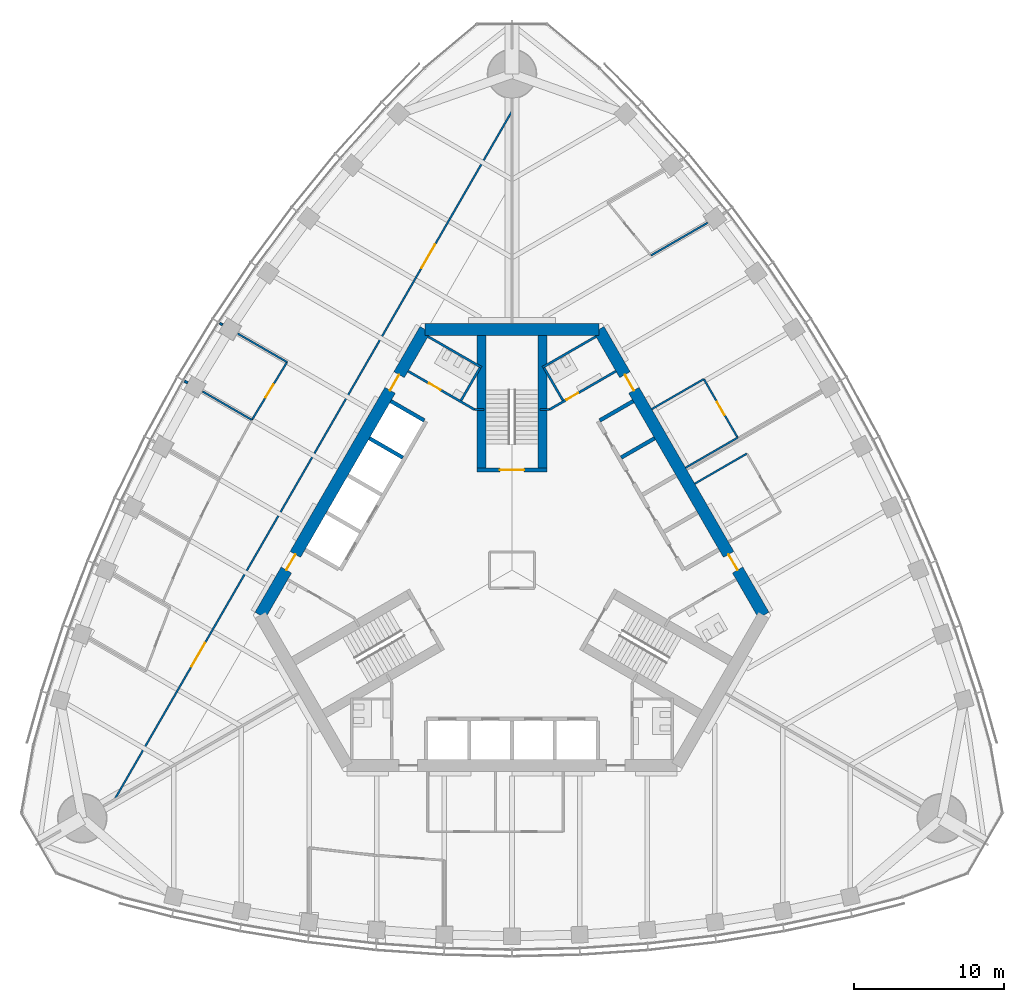
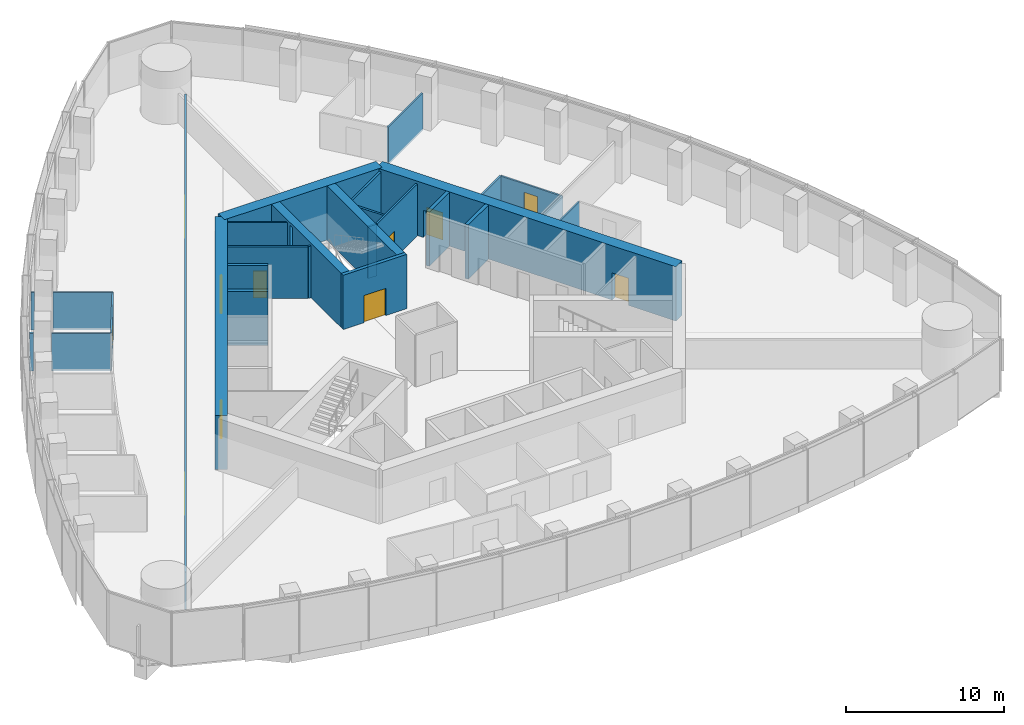
# One storey, part 13 of 19: 29 walls, 11 doors, 11 openings.
"""IFC4 building model written with IfcOpenShell, lengths in metres."""

from ifc_helpers import new_model, si_unit, direction, frame, frame_2d, origin, place, context, subcontext, project, spatial, rectangle, extrude, material, layer, layer_set, type_object, element, fill, save


model = new_model("IFC4")

# Units and contexts
model_context = context("Model", 3, precision=1e-05, world=origin(), true_north=direction((0.0, 1.0)))
body_context = subcontext(model_context, "Body", "Model", "MODEL_VIEW")
ifc_project = project(units=[si_unit("LENGTHUNIT", "METRE"), si_unit("AREAUNIT", "SQUARE_METRE"), si_unit("VOLUMEUNIT", "CUBIC_METRE"), si_unit("PLANEANGLEUNIT", "RADIAN"), si_unit("MASSUNIT", "GRAM", prefix="KILO")], contexts=[model_context])

# Site, building, storey
site_placement = place(None, origin())
site = spatial("IfcSite", under=ifc_project, at=site_placement, CompositionType="ELEMENT")
building_placement = place(site_placement, origin())
building = spatial("IfcBuilding", under=site, at=building_placement, Name="Trefoil Bronze Tower", CompositionType="ELEMENT")
storey_placement = place(building_placement, frame((0.0, 0.0, 206.5)))
storey = spatial("IfcBuildingStorey", under=building, at=storey_placement, Name="L47", CompositionType="ELEMENT", Elevation=206.5)

# Wall, openings, doors
ifc_material_1 = material(Name="Concrete B80", Category="concrete")
ifc_layer_1 = layer(ifc_material_1, 0.800048828125)
ifc_layer_set_1 = layer_set([ifc_layer_1], Name="Core wall 800")
wall_type_1 = type_object("IfcWallType", Name="Core wall 800", PredefinedType="SHEAR", material=ifc_layer_set_1)
wall_1_placement = place(storey_placement, frame((16.7431640625, -3.0, 0.0), z_axis=(0.0, 0.0, 1.0), x_axis=(-0.500002442456, 0.866023993627, 0.0)))
wall_1 = element("IfcWall", 1, at=wall_1_placement, inside=storey, type_object=wall_type_1, Name="Core long wall 2 L47", PredefinedType="SHEAR", context=body_context, shape_type="SweptSolid", body=[
    extrude(rectangle(XDim=21.939453125, YDim=0.800048828125, at=frame_2d((10.9697265625, 0.0))), origin(), (0.0, 0.0, 1.0), 4.199951171875),
])
opening_1_placement = place(wall_1_placement, frame((17.269775390625, 0.0, 0.0)))
opening_1 = element("IfcOpeningElement", 2, at=opening_1_placement, cuts=wall_1, Name="Opening D2", PredefinedType="OPENING", context=body_context, shape_type="SweptSolid", body=[
    extrude(rectangle(XDim=1.199951171875, YDim=2.10009765625, at=frame_2d((0.60009765625, 1.050048828125))), frame((0.0, 0.409912109375, 0.0), z_axis=(0.0, -1.0, 0.0), x_axis=(1.0, 0.0, 0.0)), (0.0, 0.0, 1.0), 0.820068359375),
])
opening_2_placement = place(wall_1_placement, frame((3.4697265625, 0.0, 0.0)))
opening_2 = element("IfcOpeningElement", 3, at=opening_2_placement, cuts=wall_1, Name="Opening D2", PredefinedType="OPENING", context=body_context, shape_type="SweptSolid", body=[
    extrude(rectangle(XDim=1.199951171875, YDim=2.10009765625, at=frame_2d((0.60009765625, 1.050048828125))), frame((0.0, 0.409912109375, 0.0), z_axis=(0.0, -1.0, 0.0), x_axis=(1.0, 0.0, 0.0)), (0.0, 0.0, 1.0), 0.820068359375),
])
ifc_material_2 = material(Name="Steel door", Category="steel")
door_type_1 = type_object("IfcDoorType", Name="Lobby door 1200", OperationType="SINGLE_SWING_RIGHT", PredefinedType="DOOR", material=ifc_material_2)
door_1_placement = place(opening_1_placement, origin())
door_1 = element("IfcDoor", 4, at=door_1_placement, inside=storey, type_object=door_type_1, Name="Lobby door F2+ L47", OperationType="SINGLE_SWING_RIGHT", OverallHeight=2.10009765625, OverallWidth=1.199951171875, PredefinedType="DOOR", context=body_context, shape_type="SweptSolid", body=[
    extrude(rectangle(XDim=1.199951171875, YDim=2.10009765625, at=frame_2d((0.60009765625, 1.050048828125))), frame((0.0, 0.02490234375, 0.0), z_axis=(0.0, -1.0, 0.0), x_axis=(1.0, 0.0, 0.0)), (0.0, 0.0, 1.0), 0.050048828125),
])
fill(opening_1, door_1)
door_2_placement = place(opening_2_placement, origin())
door_2 = element("IfcDoor", 5, at=door_2_placement, inside=storey, type_object=door_type_1, Name="Lobby door F2- L47", OperationType="SINGLE_SWING_LEFT", OverallHeight=2.10009765625, OverallWidth=1.199951171875, PredefinedType="DOOR", context=body_context, shape_type="SweptSolid", body=[
    extrude(rectangle(XDim=1.199951171875, YDim=2.10009765625, at=frame_2d((0.60009765625, 1.050048828125))), frame((0.0, 0.02490234375, 0.0), z_axis=(0.0, -1.0, 0.0), x_axis=(1.0, 0.0, 0.0)), (0.0, 0.0, 1.0), 0.050048828125),
])
fill(opening_2, door_2)

# Wall
wall_2_placement = place(storey_placement, frame((5.7734375, 16.0, 0.0), z_axis=(0.0, 0.0, 1.0), x_axis=(-1.0, 0.0, 0.0)))
element("IfcWall", 6, at=wall_2_placement, inside=storey, type_object=wall_type_1, Name="Core short wall 2 L47", PredefinedType="SHEAR", context=body_context, shape_type="SweptSolid", body=[
    extrude(rectangle(XDim=11.546875, YDim=0.800048828125, at=frame_2d((5.7734375, 0.0))), origin(), (0.0, 0.0, 1.0), 4.199951171875),
])

# Wall, openings, doors
wall_3_placement = place(storey_placement, frame((-5.7734375, 16.0, 0.0), z_axis=(0.0, 0.0, 1.0), x_axis=(-0.500002442456, -0.866023993627, 0.0)))
wall_3 = element("IfcWall", 7, at=wall_3_placement, inside=storey, type_object=wall_type_1, Name="Core long wall 3 L47", PredefinedType="SHEAR", context=body_context, shape_type="SweptSolid", body=[
    extrude(rectangle(XDim=21.939453125, YDim=0.800048828125, at=frame_2d((10.9697265625, 0.0))), origin(), (0.0, 0.0, 1.0), 4.199951171875),
])
opening_3_placement = place(wall_3_placement, frame((17.269775390625, 0.0, 0.0)))
opening_3 = element("IfcOpeningElement", 8, at=opening_3_placement, cuts=wall_3, Name="Opening D2", PredefinedType="OPENING", context=body_context, shape_type="SweptSolid", body=[
    extrude(rectangle(XDim=1.199951171875, YDim=2.10009765625, at=frame_2d((0.60009765625, 1.050048828125))), frame((0.0, 0.409912109375, 0.0), z_axis=(0.0, -1.0, 0.0), x_axis=(1.0, 0.0, 0.0)), (0.0, 0.0, 1.0), 0.820068359375),
])
opening_4_placement = place(wall_3_placement, frame((3.4697265625, 0.0, 0.0)))
opening_4 = element("IfcOpeningElement", 9, at=opening_4_placement, cuts=wall_3, Name="Opening D2", PredefinedType="OPENING", context=body_context, shape_type="SweptSolid", body=[
    extrude(rectangle(XDim=1.199951171875, YDim=2.10009765625, at=frame_2d((0.60009765625, 1.050048828125))), frame((0.0, 0.409912109375, 0.0), z_axis=(0.0, -1.0, 0.0), x_axis=(1.0, 0.0, 0.0)), (0.0, 0.0, 1.0), 0.820068359375),
])
door_3_placement = place(opening_3_placement, origin())
door_3 = element("IfcDoor", 10, at=door_3_placement, inside=storey, type_object=door_type_1, Name="Lobby door F3+ L47", OperationType="SINGLE_SWING_RIGHT", OverallHeight=2.10009765625, OverallWidth=1.199951171875, PredefinedType="DOOR", context=body_context, shape_type="SweptSolid", body=[
    extrude(rectangle(XDim=1.199951171875, YDim=2.10009765625, at=frame_2d((0.60009765625, 1.050048828125))), frame((0.0, 0.02490234375, 0.0), z_axis=(0.0, -1.0, 0.0), x_axis=(1.0, 0.0, 0.0)), (0.0, 0.0, 1.0), 0.050048828125),
])
fill(opening_3, door_3)
door_4_placement = place(opening_4_placement, origin())
door_4 = element("IfcDoor", 11, at=door_4_placement, inside=storey, type_object=door_type_1, Name="Lobby door F3- L47", OperationType="SINGLE_SWING_LEFT", OverallHeight=2.10009765625, OverallWidth=1.199951171875, PredefinedType="DOOR", context=body_context, shape_type="SweptSolid", body=[
    extrude(rectangle(XDim=1.199951171875, YDim=2.10009765625, at=frame_2d((0.60009765625, 1.050048828125))), frame((0.0, 0.02490234375, 0.0), z_axis=(0.0, -1.0, 0.0), x_axis=(1.0, 0.0, 0.0)), (0.0, 0.0, 1.0), 0.050048828125),
])
fill(opening_4, door_4)

# Wall, opening, door
ifc_material_3 = material(Name="Glazed partition", Category="glass")
ifc_layer_2 = layer(ifc_material_3, 0.1201171875)
ifc_layer_set_2 = layer_set([ifc_layer_2], Name="Glazed partition 120")
wall_type_2 = type_object("IfcWallType", Name="Glazed partition 120", PredefinedType="PARTITIONING", material=ifc_layer_set_2)
wall_4_placement = place(storey_placement, frame((15.00634765625, 8.808349609375, 0.0), z_axis=(0.0, 0.0, 1.0), x_axis=(-0.500013631625, 0.866017533419, 0.0)))
wall_4 = element("IfcWall", 12, at=wall_4_placement, inside=storey, type_object=wall_type_2, Name="Partition F2 L47", PredefinedType="PARTITIONING", context=body_context, shape_type="SweptSolid", body=[
    extrude(rectangle(XDim=4.499755859375, YDim=0.1201171875, at=frame_2d((2.25, 0.0))), origin(), (0.0, 0.0, 1.0), 2.89990234375),
])
opening_5_placement = place(wall_4_placement, frame((1.75, 0.0, 0.14990234375)))
opening_5 = element("IfcOpeningElement", 13, at=opening_5_placement, cuts=wall_4, Name="Opening D9", PredefinedType="OPENING", context=body_context, shape_type="SweptSolid", body=[
    extrude(rectangle(XDim=1.0, YDim=2.10009765625, at=frame_2d((0.5, 1.050048828125))), frame((0.0, 0.070068359375, 0.0), z_axis=(0.0, -1.0, 0.0), x_axis=(1.0, 0.0, 0.0)), (0.0, 0.0, 1.0), 0.14013671875),
])
ifc_material_4 = material(Name="Glazed timber door", Category="wood")
door_type_2 = type_object("IfcDoorType", Name="Meeting room door 1000", OperationType="SINGLE_SWING_LEFT", PredefinedType="DOOR", material=ifc_material_4)
door_5_placement = place(opening_5_placement, origin())
door_5 = element("IfcDoor", 14, at=door_5_placement, inside=storey, type_object=door_type_2, Name="Project room door F2 L47", OperationType="SINGLE_SWING_LEFT", OverallHeight=2.10009765625, OverallWidth=1.0, PredefinedType="DOOR", context=body_context, shape_type="SweptSolid", body=[
    extrude(rectangle(XDim=1.0, YDim=2.10009765625, at=frame_2d((0.5, 1.050048828125))), frame((0.0, 0.02490234375, 0.0), z_axis=(0.0, -1.0, 0.0), x_axis=(1.0, 0.0, 0.0)), (0.0, 0.0, 1.0), 0.050048828125),
])
fill(opening_5, door_5)

# Walls
for number, where, z_axis, x_axis, name in (
    (15, (11.542236328125, 6.808349609375, 0.0), (0.0, 0.0, 1.0), (0.866026010844, 0.49999894854, 0.0), "Partition F2 L47"),
    (16, (9.292236328125, 10.705322265625, 0.0), (0.0, 0.0, 1.0), (0.866026010844, 0.49999894854, 0.0), "Partition F2 L47"),
    (17, (12.15478515625, 5.747314453125, 0.0), (0.0, 0.0, 1.0), (0.866026010844, 0.49999894854, 0.0), "Partition F2 L47"),
):
    element("IfcWall", number, at=place(storey_placement, frame(where, z_axis=z_axis, x_axis=x_axis)), inside=storey, type_object=wall_type_2, Name=name, PredefinedType="PARTITIONING", context=body_context, shape_type="SweptSolid", body=[
        extrude(rectangle(XDim=4.0, YDim=0.1201171875, at=frame_2d((2.0, 0.0))), origin(), (0.0, 0.0, 1.0), 2.89990234375),
    ])
wall_5_placement = place(storey_placement, frame((9.2421875, 20.92431640625, 0.0), z_axis=(0.0, 0.0, 1.0), x_axis=(0.866010142069, 0.500026433136, 0.0)))
element("IfcWall", 18, at=wall_5_placement, inside=storey, type_object=wall_type_2, Name="Partition F2 L47", PredefinedType="PARTITIONING", context=body_context, shape_type="SweptSolid", body=[
    extrude(rectangle(XDim=4.356689453125, YDim=0.1201171875, at=frame_2d((2.17822265625, 0.0))), origin(), (0.0, 0.0, 1.0), 2.89990234375),
])

# Wall, openings, doors
wall_6_placement = place(storey_placement, frame((-0.016357421875, 30.491455078125, 0.0), z_axis=(0.0, 0.0, 1.0), x_axis=(-0.50000091641, -0.866024874695, 0.0)))
wall_6 = element("IfcWall", 19, at=wall_6_placement, inside=storey, type_object=wall_type_2, Name="Partition F3 L47", PredefinedType="PARTITIONING", context=body_context, shape_type="SweptSolid", body=[
    extrude(rectangle(XDim=52.79638671875, YDim=0.1201171875, at=frame_2d((26.398193359375, 0.0))), origin(), (0.0, 0.0, 1.0), 2.89990234375),
])
opening_6_placement = place(wall_6_placement, frame((10.199951171875, 0.0, 0.14990234375)))
opening_6 = element("IfcOpeningElement", 20, at=opening_6_placement, cuts=wall_6, Name="Opening D10", PredefinedType="OPENING", context=body_context, shape_type="SweptSolid", body=[
    extrude(rectangle(XDim=1.800048828125, YDim=2.10009765625, at=frame_2d((0.89990234375, 1.050048828125))), frame((0.0, 0.070068359375, 0.0), z_axis=(0.0, -1.0, 0.0), x_axis=(1.0, 0.0, 0.0)), (0.0, 0.0, 1.0), 0.14013671875),
])
opening_7_placement = place(wall_6_placement, frame((40.800048828125, 0.0, 0.14990234375)))
opening_7 = element("IfcOpeningElement", 21, at=opening_7_placement, cuts=wall_6, Name="Opening D10", PredefinedType="OPENING", context=body_context, shape_type="SweptSolid", body=[
    extrude(rectangle(XDim=1.800048828125, YDim=2.10009765625, at=frame_2d((0.89990234375, 1.050048828125))), frame((0.0, 0.070068359375, 0.0), z_axis=(0.0, -1.0, 0.0), x_axis=(1.0, 0.0, 0.0)), (0.0, 0.0, 1.0), 0.14013671875),
])
ifc_material_5 = material(Name="Timber door", Category="wood")
door_type_3 = type_object("IfcDoorType", Name="Double door 1800", OperationType="DOUBLE_DOOR_SINGLE_SWING", PredefinedType="DOOR", material=ifc_material_5)
door_6_placement = place(opening_6_placement, origin())
door_6 = element("IfcDoor", 22, at=door_6_placement, inside=storey, type_object=door_type_3, Name="Corridor door F3 L47", OperationType="DOUBLE_DOOR_SINGLE_SWING", OverallHeight=2.10009765625, OverallWidth=1.800048828125, PredefinedType="DOOR", context=body_context, shape_type="SweptSolid", body=[
    extrude(rectangle(XDim=1.800048828125, YDim=2.10009765625, at=frame_2d((0.89990234375, 1.050048828125))), frame((0.0, 0.02490234375, 0.0), z_axis=(0.0, -1.0, 0.0), x_axis=(1.0, 0.0, 0.0)), (0.0, 0.0, 1.0), 0.050048828125),
])
fill(opening_6, door_6)
door_7_placement = place(opening_7_placement, origin())
door_7 = element("IfcDoor", 23, at=door_7_placement, inside=storey, type_object=door_type_3, Name="Corridor door F3 L47", OperationType="DOUBLE_DOOR_SINGLE_SWING", OverallHeight=2.10009765625, OverallWidth=1.800048828125, PredefinedType="DOOR", context=body_context, shape_type="SweptSolid", body=[
    extrude(rectangle(XDim=1.800048828125, YDim=2.10009765625, at=frame_2d((0.89990234375, 1.050048828125))), frame((0.0, 0.02490234375, 0.0), z_axis=(0.0, -1.0, 0.0), x_axis=(1.0, 0.0, 0.0)), (0.0, 0.0, 1.0), 0.050048828125),
])
fill(opening_7, door_7)

# Wall, opening, door
wall_7_placement = place(storey_placement, frame((-14.9599609375, 13.833251953125, 0.0), z_axis=(0.0, 0.0, 1.0), x_axis=(-0.519726678229, -0.854332593278, 0.0)))
wall_7 = element("IfcWall", 24, at=wall_7_placement, inside=storey, type_object=wall_type_2, Name="Partition F3 L47", PredefinedType="PARTITIONING", context=body_context, shape_type="SweptSolid", body=[
    extrude(rectangle(XDim=4.501220703125, YDim=0.1201171875, at=frame_2d((2.25048828125, 0.0))), origin(), (0.0, 0.0, 1.0), 2.89990234375),
])
opening_8_placement = place(wall_7_placement, frame((1.75, 0.0, 0.14990234375)))
opening_8 = element("IfcOpeningElement", 25, at=opening_8_placement, cuts=wall_7, Name="Opening D9", PredefinedType="OPENING", context=body_context, shape_type="SweptSolid", body=[
    extrude(rectangle(XDim=1.0, YDim=2.10009765625, at=frame_2d((0.5, 1.050048828125))), frame((0.0, 0.070068359375, 0.0), z_axis=(0.0, -1.0, 0.0), x_axis=(1.0, 0.0, 0.0)), (0.0, 0.0, 1.0), 0.14013671875),
])
door_8_placement = place(opening_8_placement, frame((1.0, 0.0, 0.0), z_axis=(0.0, 0.0, 1.0), x_axis=(-1.0, 0.0, 0.0)))
door_8 = element("IfcDoor", 26, at=door_8_placement, inside=storey, type_object=door_type_2, Name="Project room door F3 L47", OperationType="SINGLE_SWING_RIGHT", OverallHeight=2.10009765625, OverallWidth=1.0, PredefinedType="DOOR", context=body_context, shape_type="SweptSolid", body=[
    extrude(rectangle(XDim=1.0, YDim=2.10009765625, at=frame_2d((0.5, 1.050048828125))), frame((0.0, 0.02490234375, 0.0), z_axis=(0.0, -1.0, 0.0), x_axis=(1.0, 0.0, 0.0)), (0.0, 0.0, 1.0), 0.050048828125),
])
fill(opening_8, door_8)

# Walls
wall_8_placement = place(storey_placement, frame((-17.29931640625, 9.98779296875, 0.0), z_axis=(0.0, 0.0, 1.0), x_axis=(-0.866033463206, 0.499986040413, 0.0)))
element("IfcWall", 27, at=wall_8_placement, inside=storey, type_object=wall_type_2, Name="Partition F3 L47", PredefinedType="PARTITIONING", context=body_context, shape_type="SweptSolid", body=[
    extrude(rectangle(XDim=3.794921875, YDim=0.1201171875, at=frame_2d((1.8974609375, 0.0))), origin(), (0.0, 0.0, 1.0), 2.89990234375),
])
wall_9_placement = place(storey_placement, frame((-14.9599609375, 13.833251953125, 0.0), z_axis=(0.0, 0.0, 1.0), x_axis=(-0.866020532957, 0.500008436426, 0.0)))
element("IfcWall", 28, at=wall_9_placement, inside=storey, type_object=wall_type_2, Name="Partition F3 L47", PredefinedType="PARTITIONING", context=body_context, shape_type="SweptSolid", body=[
    extrude(rectangle(XDim=3.79345703125, YDim=0.1201171875, at=frame_2d((1.896728515625, 0.0))), origin(), (0.0, 0.0, 1.0), 2.89990234375),
])

# Wall, opening, door
ifc_material_6 = material(Name="Gypsum board on steel studs", Category="steel")
ifc_layer_3 = layer(ifc_material_6, 0.14990234375)
ifc_layer_set_3 = layer_set([ifc_layer_3], Name="Partition 150")
wall_type_3 = type_object("IfcWallType", Name="Partition 150", PredefinedType="PARTITIONING", material=ifc_layer_set_3)
wall_10_placement = place(storey_placement, frame((2.4951171875, 10.67822265625, 0.0), z_axis=(0.0, 0.0, 1.0), x_axis=(0.86602216432, 0.500005610874, 0.0)))
wall_10 = element("IfcWall", 29, at=wall_10_placement, inside=storey, type_object=wall_type_3, Name="Passage wall F2+ L47", PredefinedType="PARTITIONING", context=body_context, shape_type="SweptSolid", body=[
    extrude(rectangle(XDim=5.10009765625, YDim=0.14990234375, at=frame_2d((2.550048828125, 0.0))), origin(), (0.0, 0.0, 1.0), 4.0),
])
opening_9_placement = place(wall_10_placement, frame((1.300048828125, 0.0, 0.0)))
opening_9 = element("IfcOpeningElement", 30, at=opening_9_placement, cuts=wall_10, Name="Opening D3", PredefinedType="OPENING", context=body_context, shape_type="SweptSolid", body=[
    extrude(rectangle(XDim=0.89990234375, YDim=2.10009765625, at=frame_2d((0.449951171875, 1.050048828125))), frame((0.0, 0.0849609375, 0.0), z_axis=(0.0, -1.0, 0.0), x_axis=(1.0, 0.0, 0.0)), (0.0, 0.0, 1.0), 0.169921875),
])
ifc_material_7 = material(Name="Timber door", Category="wood")
door_type_4 = type_object("IfcDoorType", Name="WC door 900", OperationType="SINGLE_SWING_LEFT", PredefinedType="DOOR", material=ifc_material_7)
door_9_placement = place(opening_9_placement, origin())
door_9 = element("IfcDoor", 31, at=door_9_placement, inside=storey, type_object=door_type_4, Name="WC (men) door L47", OperationType="SINGLE_SWING_LEFT", OverallHeight=2.10009765625, OverallWidth=0.89990234375, PredefinedType="DOOR", context=body_context, shape_type="SweptSolid", body=[
    extrude(rectangle(XDim=0.89990234375, YDim=2.10009765625, at=frame_2d((0.449951171875, 1.050048828125))), frame((0.0, 0.02490234375, 0.0), z_axis=(0.0, -1.0, 0.0), x_axis=(1.0, 0.0, 0.0)), (0.0, 0.0, 1.0), 0.050048828125),
])
fill(opening_9, door_9)

wall_11_placement = place(storey_placement, frame((-2.4951171875, 10.67822265625, 0.0), z_axis=(0.0, 0.0, 1.0), x_axis=(-0.86602216432, 0.500005610874, 0.0)))
wall_11 = element("IfcWall", 32, at=wall_11_placement, inside=storey, type_object=wall_type_3, Name="Passage wall F3- L47", PredefinedType="PARTITIONING", context=body_context, shape_type="SweptSolid", body=[
    extrude(rectangle(XDim=5.10009765625, YDim=0.14990234375, at=frame_2d((2.550048828125, 0.0))), origin(), (0.0, 0.0, 1.0), 4.0),
])
opening_10_placement = place(wall_11_placement, frame((2.60009765625, 0.0, 0.0)))
opening_10 = element("IfcOpeningElement", 33, at=opening_10_placement, cuts=wall_11, Name="Opening D3", PredefinedType="OPENING", context=body_context, shape_type="SweptSolid", body=[
    extrude(rectangle(XDim=0.89990234375, YDim=2.10009765625, at=frame_2d((0.449951171875, 1.050048828125))), frame((0.0, 0.0849609375, 0.0), z_axis=(0.0, -1.0, 0.0), x_axis=(1.0, 0.0, 0.0)), (0.0, 0.0, 1.0), 0.169921875),
])
door_10_placement = place(opening_10_placement, frame((0.89990234375, 0.0, 0.0), z_axis=(0.0, 0.0, 1.0), x_axis=(-1.0, 0.0, 0.0)))
door_10 = element("IfcDoor", 34, at=door_10_placement, inside=storey, type_object=door_type_4, Name="WC (women) door L47", OperationType="SINGLE_SWING_RIGHT", OverallHeight=2.10009765625, OverallWidth=0.89990234375, PredefinedType="DOOR", context=body_context, shape_type="SweptSolid", body=[
    extrude(rectangle(XDim=0.89990234375, YDim=2.10009765625, at=frame_2d((0.449951171875, 1.050048828125))), frame((0.0, 0.02490234375, 0.0), z_axis=(0.0, -1.0, 0.0), x_axis=(1.0, 0.0, 0.0)), (0.0, 0.0, 1.0), 0.050048828125),
])
fill(opening_10, door_10)

# Walls
for number, where, z_axis, x_axis, name in (
    (35, (2.4951171875, 10.67822265625, 0.0), (0.0, 0.0, 1.0), (-1.0, 0.0, 0.0), "WC wall ST2-1 L47"),
    (36, (-2.4951171875, 10.67822265625, 0.0), (0.0, 0.0, 1.0), (1.0, 0.0, 0.0), "WC wall ST2+1 L47"),
):
    element("IfcWall", number, at=place(storey_placement, frame(where, z_axis=z_axis, x_axis=x_axis)), inside=storey, type_object=wall_type_3, Name=name, PredefinedType="PARTITIONING", context=body_context, shape_type="SweptSolid", body=[
        extrude(rectangle(XDim=0.64501953125, YDim=0.14990234375, at=frame_2d((0.322509765625, 0.0))), origin(), (0.0, 0.0, 1.0), 4.0),
    ])
wall_12_placement = place(storey_placement, frame((2.03125, 13.48193359375, 0.0), z_axis=(0.0, 0.0, 1.0), x_axis=(0.866050731258, 0.499956128963, 0.0)))
element("IfcWall", 37, at=wall_12_placement, inside=storey, type_object=wall_type_3, Name="WC partition WC (men) L47", PredefinedType="PARTITIONING", context=body_context, shape_type="SweptSolid", body=[
    extrude(rectangle(XDim=4.099853515625, YDim=0.14990234375, at=frame_2d((2.0498046875, 0.0))), origin(), (0.0, 0.0, 1.0), 4.0),
])
wall_13_placement = place(storey_placement, frame((3.388671875, 11.28076171875, 0.0), z_axis=(0.0, 0.0, 1.0), x_axis=(-0.499989096993, 0.866031698547, 0.0)))
element("IfcWall", 38, at=wall_13_placement, inside=storey, type_object=wall_type_3, Name="WC partition WC (men) L47", PredefinedType="PARTITIONING", context=body_context, shape_type="SweptSolid", body=[
    extrude(rectangle(XDim=2.509765625, YDim=0.14990234375, at=frame_2d((1.2548828125, 0.0))), origin(), (0.0, 0.0, 1.0), 4.0),
])
wall_14_placement = place(storey_placement, frame((-2.03125, 13.48193359375, 0.0), z_axis=(0.0, 0.0, 1.0), x_axis=(-0.866050731258, 0.499956128963, 0.0)))
element("IfcWall", 39, at=wall_14_placement, inside=storey, type_object=wall_type_3, Name="WC partition WC (women) L47", PredefinedType="PARTITIONING", context=body_context, shape_type="SweptSolid", body=[
    extrude(rectangle(XDim=4.099853515625, YDim=0.14990234375, at=frame_2d((2.0498046875, 0.0))), origin(), (0.0, 0.0, 1.0), 4.0),
])
wall_15_placement = place(storey_placement, frame((-3.388671875, 11.28076171875, 0.0), z_axis=(0.0, 0.0, 1.0), x_axis=(0.499989096993, 0.866031698547, 0.0)))
element("IfcWall", 40, at=wall_15_placement, inside=storey, type_object=wall_type_3, Name="WC partition WC (women) L47", PredefinedType="PARTITIONING", context=body_context, shape_type="SweptSolid", body=[
    extrude(rectangle(XDim=2.509765625, YDim=0.14990234375, at=frame_2d((1.2548828125, 0.0))), origin(), (0.0, 0.0, 1.0), 4.0),
])
wall_16_placement = place(storey_placement, frame((-21.568115234375, 12.452392578125, 0.0), z_axis=(0.0, 0.0, 1.0), x_axis=(-0.866303639744, 0.499517771221, 0.0)))
element("IfcWall", 41, at=wall_16_placement, inside=storey, type_object=wall_type_3, Name="Partition F3 L47", PredefinedType="PARTITIONING", context=body_context, shape_type="SweptSolid", body=[
    extrude(rectangle(XDim=0.240966796875, YDim=0.14990234375, at=frame_2d((0.12060546875, 0.0))), origin(), (0.0, 0.0, 1.0), 2.89990234375),
])
wall_17_placement = place(storey_placement, frame((-19.249267578125, 16.3095703125, 0.0), z_axis=(0.0, 0.0, 1.0), x_axis=(-0.865810949009, 0.500371262739, 0.0)))
element("IfcWall", 42, at=wall_17_placement, inside=storey, type_object=wall_type_3, Name="Partition F3 L47", PredefinedType="PARTITIONING", context=body_context, shape_type="SweptSolid", body=[
    extrude(rectangle(XDim=0.217041015625, YDim=0.14990234375, at=frame_2d((0.1083984375, 0.0))), origin(), (0.0, 0.0, 1.0), 2.89990234375),
])
ifc_material_8 = material(Name="Concrete B80", Category="concrete")
ifc_layer_4 = layer(ifc_material_8, 0.25)
ifc_layer_set_4 = layer_set([ifc_layer_4], Name="Shaft wall 250")
wall_type_4 = type_object("IfcWallType", Name="Shaft wall 250", PredefinedType="SHEAR", material=ifc_layer_set_4)
wall_18_placement = place(storey_placement, frame((7.2568359375, 7.480712890625, 0.0), z_axis=(0.0, 0.0, 1.0), x_axis=(0.866046643894, 0.499963209246, 0.0)))
element("IfcWall", 43, at=wall_18_placement, inside=storey, type_object=wall_type_4, Name="Lift shaft side wall B3 L47", PredefinedType="SHEAR", context=body_context, shape_type="SweptSolid", body=[
    extrude(rectangle(XDim=2.574951171875, YDim=0.25, at=frame_2d((1.28759765625, 0.0))), origin(), (0.0, 0.0, 1.0), 4.199951171875),
])
for number, where, z_axis, x_axis, name in (
    (44, (5.831787109375, 9.94873046875, 0.0), (0.0, 0.0, 1.0), (0.866029291668, 0.499993265928, 0.0), "Lift shaft side wall B4 L47"),
    (45, (-5.831787109375, 9.94873046875, 0.0), (0.0, 0.0, 1.0), (-0.866029291668, 0.499993265928, 0.0), "Lift shaft side wall C0 L47"),
):
    element("IfcWall", number, at=place(storey_placement, frame(where, z_axis=z_axis, x_axis=x_axis)), inside=storey, type_object=wall_type_4, Name=name, PredefinedType="SHEAR", context=body_context, shape_type="SweptSolid", body=[
        extrude(rectangle(XDim=2.5751953125, YDim=0.25, at=frame_2d((1.28759765625, 0.0))), origin(), (0.0, 0.0, 1.0), 4.199951171875),
    ])
wall_19_placement = place(storey_placement, frame((-7.2568359375, 7.480712890625, 0.0), z_axis=(0.0, 0.0, 1.0), x_axis=(-0.866046643894, 0.499963209246, 0.0)))
element("IfcWall", 46, at=wall_19_placement, inside=storey, type_object=wall_type_4, Name="Lift shaft side wall C1 L47", PredefinedType="SHEAR", context=body_context, shape_type="SweptSolid", body=[
    extrude(rectangle(XDim=2.574951171875, YDim=0.25, at=frame_2d((1.28759765625, 0.0))), origin(), (0.0, 0.0, 1.0), 4.199951171875),
])

# Wall, opening, door
wall_20_placement = place(storey_placement, frame((2.324951171875, 6.64990234375, 0.0), z_axis=(0.0, 0.0, 1.0), x_axis=(-1.0, 0.0, 0.0)))
wall_20 = element("IfcWall", 47, at=wall_20_placement, inside=storey, type_object=wall_type_4, Name="Stair end wall ST2 L47", PredefinedType="SHEAR", context=body_context, shape_type="SweptSolid", body=[
    extrude(rectangle(XDim=4.64990234375, YDim=0.25, at=frame_2d((2.324951171875, 0.0))), origin(), (0.0, 0.0, 1.0), 4.199951171875),
])
opening_11_placement = place(wall_20_placement, frame((1.52490234375, 0.0, 0.0)))
opening_11 = element("IfcOpeningElement", 48, at=opening_11_placement, cuts=wall_20, Name="Opening D1", PredefinedType="OPENING", context=body_context, shape_type="SweptSolid", body=[
    extrude(rectangle(XDim=1.60009765625, YDim=2.10009765625, at=frame_2d((0.800048828125, 1.050048828125))), frame((0.0, 0.135009765625, 0.0), z_axis=(0.0, -1.0, 0.0), x_axis=(1.0, 0.0, 0.0)), (0.0, 0.0, 1.0), 0.27001953125),
])
ifc_material_9 = material(Name="Steel door", Category="steel")
door_type_5 = type_object("IfcDoorType", Name="Stair door 1600", OperationType="DOUBLE_DOOR_SINGLE_SWING", PredefinedType="DOOR", material=ifc_material_9)
door_11_placement = place(opening_11_placement, frame((1.60009765625, 0.0, 0.0), z_axis=(0.0, 0.0, 1.0), x_axis=(-1.0, 0.0, 0.0)))
door_11 = element("IfcDoor", 49, at=door_11_placement, inside=storey, type_object=door_type_5, Name="Stair door ST2 L47", OperationType="DOUBLE_DOOR_SINGLE_SWING", OverallHeight=2.10009765625, OverallWidth=1.60009765625, PredefinedType="DOOR", context=body_context, shape_type="SweptSolid", body=[
    extrude(rectangle(XDim=1.60009765625, YDim=2.10009765625, at=frame_2d((0.800048828125, 1.050048828125))), frame((0.0, 0.02490234375, 0.0), z_axis=(0.0, -1.0, 0.0), x_axis=(1.0, 0.0, 0.0)), (0.0, 0.0, 1.0), 0.050048828125),
])
fill(opening_11, door_11)

# Walls
ifc_material_10 = material(Name="Concrete B80", Category="concrete")
ifc_layer_5 = layer(ifc_material_10, 0.60009765625)
ifc_layer_set_5 = layer_set([ifc_layer_5], Name="Stair wall 600")
wall_type_5 = type_object("IfcWallType", Name="Stair wall 600", PredefinedType="SHEAR", material=ifc_layer_set_5)
for number, where, z_axis, x_axis, name in (
    (50, (2.02490234375, 6.52490234375, 0.0), (0.0, 0.0, 1.0), (0.0, 1.0, 0.0), "Stair wall ST2 L47"),
    (51, (-2.02490234375, 6.52490234375, 0.0), (0.0, 0.0, 1.0), (0.0, 1.0, 0.0), "Stair wall ST2 L47"),
):
    element("IfcWall", number, at=place(storey_placement, frame(where, z_axis=z_axis, x_axis=x_axis)), inside=storey, type_object=wall_type_5, Name=name, PredefinedType="SHEAR", context=body_context, shape_type="SweptSolid", body=[
        extrude(rectangle(XDim=9.0751953125, YDim=0.60009765625, at=frame_2d((4.53759765625, 0.0))), origin(), (0.0, 0.0, 1.0), 4.199951171875),
    ])

save(model, "model.ifc")
